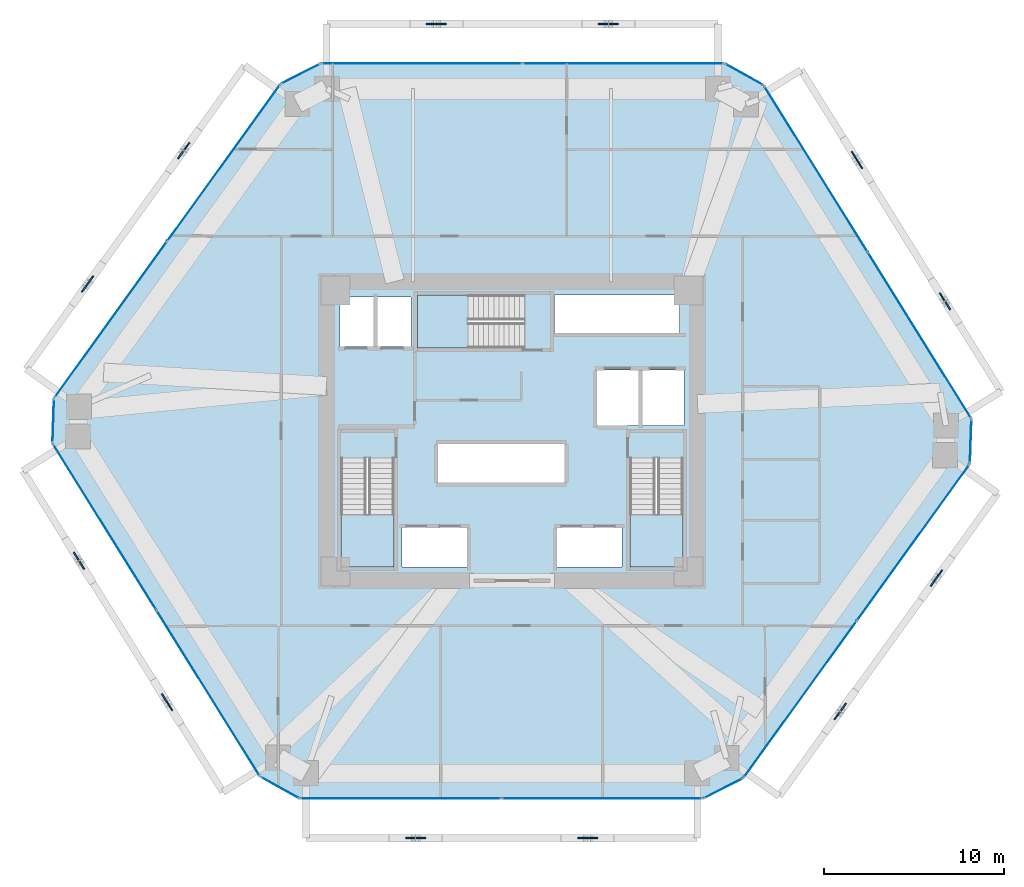
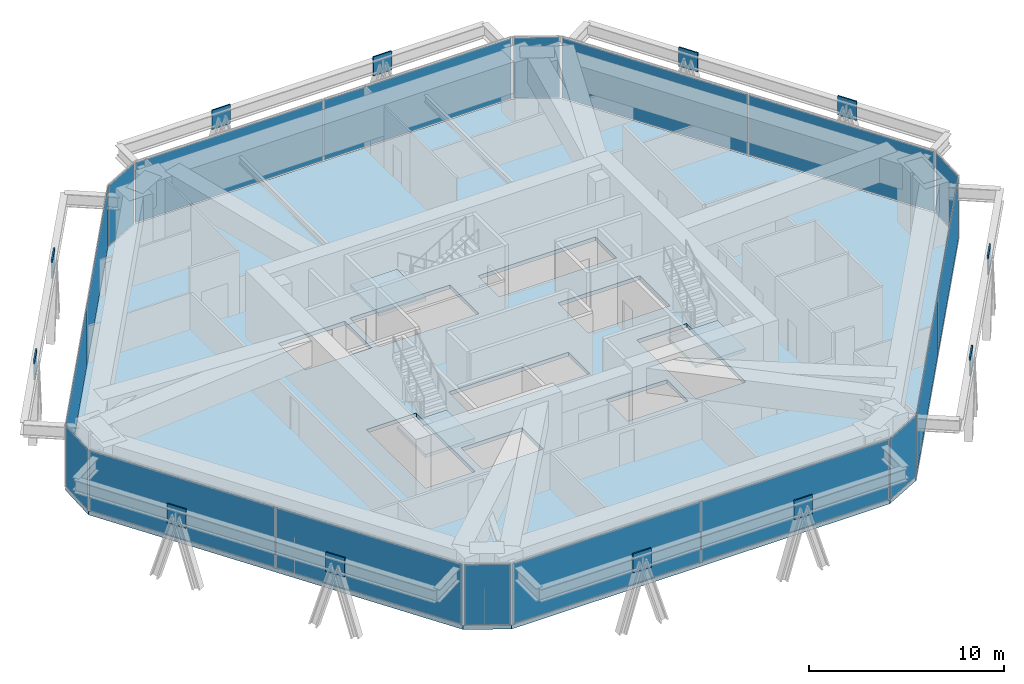
# One storey, part 10 of 16: 30 plates, 4 slabs, 15 elements without a shape of their own.
"""IFC4 building model written with IfcOpenShell, lengths in metres."""

from ifc_helpers import new_model, si_unit, direction, frame, origin, origin_2d, place, context, subcontext, project, spatial, polyline, rectangle, outline, extrude, source, transform, mapped, material, layer, layer_set, type_object, type_shapes, element, aggregate, save


model = new_model("IFC4")

# Units and contexts
model_context = context("Model", 3, precision=1e-05, world=origin(), true_north=direction((0.0, 1.0)))
body_context = subcontext(model_context, "Body", "Model", "MODEL_VIEW")
ifc_project = project(units=[si_unit("LENGTHUNIT", "METRE"), si_unit("AREAUNIT", "SQUARE_METRE"), si_unit("VOLUMEUNIT", "CUBIC_METRE"), si_unit("PLANEANGLEUNIT", "RADIAN"), si_unit("MASSUNIT", "GRAM", prefix="KILO")], contexts=[model_context])

# Site, building, storey
site_placement = place(None, origin())
site = spatial("IfcSite", under=ifc_project, at=site_placement, CompositionType="ELEMENT")
building_placement = place(site_placement, origin())
building = spatial("IfcBuilding", under=site, at=building_placement, Name="Durnholm Broadcast Tower", CompositionType="ELEMENT")
storey_placement = place(building_placement, frame((0.0, 0.0, 84.300048828125)))
storey = spatial("IfcBuildingStorey", under=building, at=storey_placement, Name="L22", CompositionType="ELEMENT", Elevation=84.300048828125)

# Slab
ifc_material_1 = material(Name="Concrete C50/60", Category="concrete")
ifc_layer_1 = layer(ifc_material_1, 0.239990234375)
ifc_layer_set_1 = layer_set([ifc_layer_1], Name="Concrete C50/60")
slab_type_1 = type_object("IfcSlabType", Name="SLAB-FLR-240", PredefinedType="FLOOR", material=ifc_layer_set_1)
slab_1_placement = place(storey_placement, frame((0.0, 0.0, -0.239990234375)))
element("IfcSlab", 1, at=slab_1_placement, inside=storey, type_object=slab_type_1, Name="L22 structural floor slab", PredefinedType="FLOOR", context=body_context, shape_type="SweptSolid", body=[
    extrude(outline(polyline([(-13.9794921875, -19.186279296875), (-11.793701171875, -20.39990234375), (10.6201171875, -20.39990234375), (12.845703125, -19.260986328125), (25.419921875, -1.820556640625), (25.50439453125, 0.677978515625), (13.9794921875, 19.186279296875), (11.793701171875, 20.39990234375), (-10.6201171875, 20.39990234375), (-12.845703125, 19.260986328125), (-25.419921875, 1.820556640625), (-25.50439453125, -0.677978515625), (-13.9794921875, -19.186279296875)]), holes=[polyline([(-2.5, -5.35009765625), (-6.10009765625, -5.35009765625), (-6.10009765625, -7.550048828125), (-2.5, -7.550048828125), (-2.5, -5.35009765625)]), polyline([(6.10009765625, -5.35009765625), (2.5, -5.35009765625), (2.5, -7.550048828125), (6.10009765625, -7.550048828125), (6.10009765625, -5.35009765625)]), polyline([(-6.5400390625, -7.550048828125), (-6.5400390625, -1.5), (-9.5, -1.5), (-9.5, -7.550048828125), (-6.5400390625, -7.550048828125)]), polyline([(9.5, -7.550048828125), (9.5, -1.5), (6.5400390625, -1.5), (6.5400390625, -7.550048828125), (9.5, -7.550048828125)]), polyline([(2.949951171875, -0.699951171875), (-4.14990234375, -0.699951171875), (-4.14990234375, -2.89990234375), (2.949951171875, -2.89990234375), (2.949951171875, -0.699951171875)]), polyline([(9.550048828125, 3.39990234375), (4.699951171875, 3.39990234375), (4.699951171875, 0.300048828125), (9.550048828125, 0.300048828125), (9.550048828125, 3.39990234375)]), polyline([(-5.60009765625, 7.449951171875), (-9.550048828125, 7.449951171875), (-9.550048828125, 4.699951171875), (-5.60009765625, 4.699951171875), (-5.60009765625, 7.449951171875)]), polyline([(-5.25, 7.56005859375), (-5.25, 4.60009765625), (0.699951171875, 4.60009765625), (0.699951171875, 7.56005859375), (-5.25, 7.56005859375)]), polyline([(9.31005859375, 5.39990234375), (9.31005859375, 7.550048828125), (2.35009765625, 7.550048828125), (2.35009765625, 5.39990234375), (9.31005859375, 5.39990234375)])]), origin(), (0.0, 0.0, 1.0), 0.239990234375),
])

# Stair, slab
stair_type = type_object("IfcStairType", Name="STAIR-DL-24R1750", PredefinedType="HALF_TURN_STAIR", material=ifc_material_1)
stair_1_placement = place(storey_placement, origin())
stair_1 = element("IfcStair", 2, at=stair_1_placement, inside=storey, type_object=stair_type, Name="L22 ST-1", PredefinedType="HALF_TURN_STAIR")
ifc_layer_2 = layer(ifc_material_1, 0.199951171875)
ifc_layer_set_2 = layer_set([ifc_layer_2], Name="Concrete C50/60")
slab_type_2 = type_object("IfcSlabType", Name="SLAB-LND-200", PredefinedType="LANDING", material=ifc_layer_set_2)
slab_2_placement = place(storey_placement, frame((0.0, 0.0, 1.89990234375)))
slab_2 = element("IfcSlab", 3, at=slab_2_placement, type_object=slab_type_2, Name="ST-1 landing 1", PredefinedType="LANDING", context=body_context, shape_type="SweptSolid", body=[
    extrude(outline(polyline([(-9.5, -4.635009765625), (-9.5, -7.550048828125), (-6.5400390625, -7.550048828125), (-6.5400390625, -4.635009765625), (-9.5, -4.635009765625)])), origin(), (0.0, 0.0, 1.0), 0.199951171875),
])
aggregate(stair_1, [slab_2])

stair_2_placement = place(storey_placement, origin())
stair_2 = element("IfcStair", 4, at=stair_2_placement, inside=storey, type_object=stair_type, Name="L22 ST-2", PredefinedType="HALF_TURN_STAIR")
slab_3_placement = place(storey_placement, frame((0.0, 0.0, 1.89990234375)))
slab_3 = element("IfcSlab", 5, at=slab_3_placement, type_object=slab_type_2, Name="ST-2 landing 1", PredefinedType="LANDING", context=body_context, shape_type="SweptSolid", body=[
    extrude(outline(polyline([(6.5400390625, -4.635009765625), (6.5400390625, -7.550048828125), (9.5, -7.550048828125), (9.5, -4.635009765625), (6.5400390625, -4.635009765625)])), origin(), (0.0, 0.0, 1.0), 0.199951171875),
])
aggregate(stair_2, [slab_3])

stair_3_placement = place(storey_placement, origin())
stair_3 = element("IfcStair", 6, at=stair_3_placement, inside=storey, type_object=stair_type, Name="L22 ST-3", PredefinedType="HALF_TURN_STAIR")
slab_4_placement = place(storey_placement, frame((0.0, 0.0, 1.89990234375)))
slab_4 = element("IfcSlab", 7, at=slab_4_placement, type_object=slab_type_2, Name="ST-3 landing 1", PredefinedType="LANDING", context=body_context, shape_type="SweptSolid", body=[
    extrude(outline(polyline([(-2.43505859375, 7.56005859375), (-5.25, 7.56005859375), (-5.25, 4.60009765625), (-2.43505859375, 4.60009765625), (-2.43505859375, 7.56005859375)])), origin(), (0.0, 0.0, 1.0), 0.199951171875),
])
aggregate(stair_3, [slab_4])

# Plates
ifc_material_2 = material(Name="Steel ASTM A572 Grade 50", Category="steel")
ifc_layer_3 = layer(ifc_material_2, 0.080078125)
ifc_layer_set_3 = layer_set([ifc_layer_3], Name="Steel ASTM A572 Grade 50")
plate_type_1 = type_object("IfcPlateType", Name="PLT-KN04-GUS", PredefinedType="USERDEFINED", material=ifc_layer_set_3)
shared_shape_1 = source(origin(), body_context, "Body", "SweptSolid", [
    extrude(rectangle(XDim=1.10009765625, YDim=0.080078125, at=origin_2d()), origin(), (0.0, 0.0, 1.0), 1.199951171875),
])
type_shapes(plate_type_1, [shared_shape_1])
for number, where, z_axis, x_axis, name in (
    (8, (-5.351318359375, -22.60009765625, 2.54833984375), (0.0, 0.0, 1.0), (1.0, 0.0, 0.0), "L22 welded diagrid node gusset plate KN04 F1"),
    (9, (4.202880859375, -22.60009765625, 2.54833984375), (0.0, 0.0, 1.0), (1.0, 0.0, 0.0), "L22 welded diagrid node gusset plate KN04 F1"),
    (10, (18.223388671875, -15.56396484375, 2.54833984375), (0.0, 0.0, 1.0), (0.584816108738, 0.81116590101, 0.0), "L22 welded diagrid node gusset plate KN04 F2"),
    (11, (23.5595703125, -8.16259765625, 2.54833984375), (0.0, 0.0, 1.0), (0.584816108738, 0.81116590101, 0.0), "L22 welded diagrid node gusset plate KN04 F2"),
    (12, (24.036376953125, 7.197509765625, 2.54833984375), (0.0, 0.0, 1.0), (-0.528586500185, 0.848879444811, 0.0), "L22 welded diagrid node gusset plate KN04 F3"),
    (13, (19.14892578125, 15.04638671875, 2.54833984375), (0.0, 0.0, 1.0), (-0.528586500185, 0.848879444811, 0.0), "L22 welded diagrid node gusset plate KN04 F3"),
    (14, (5.351318359375, 22.60009765625, 2.54833984375), (0.0, 0.0, 1.0), (-1.0, 0.0, 0.0), "L22 welded diagrid node gusset plate KN04 F4"),
    (15, (-4.202880859375, 22.60009765625, 2.54833984375), (0.0, 0.0, 1.0), (-1.0, 0.0, 0.0), "L22 welded diagrid node gusset plate KN04 F4"),
    (16, (-18.223388671875, 15.56396484375, 2.54833984375), (0.0, 0.0, 1.0), (-0.584816108738, -0.81116590101, 0.0), "L22 welded diagrid node gusset plate KN04 F5"),
    (17, (-23.5595703125, 8.16259765625, 2.54833984375), (0.0, 0.0, 1.0), (-0.584816108738, -0.81116590101, 0.0), "L22 welded diagrid node gusset plate KN04 F5"),
    (18, (-24.036376953125, -7.197509765625, 2.54833984375), (0.0, 0.0, 1.0), (0.528586500185, -0.848879444811, 0.0), "L22 welded diagrid node gusset plate KN04 F6"),
    (19, (-19.14892578125, -15.04638671875, 2.54833984375), (0.0, 0.0, 1.0), (0.528586500185, -0.848879444811, 0.0), "L22 welded diagrid node gusset plate KN04 F6"),
):
    element("IfcPlate", number, at=place(storey_placement, frame(where, z_axis=z_axis, x_axis=x_axis)), inside=storey, type_object=plate_type_1, Name=name, ObjectType="GUSSET_PLATE", PredefinedType="USERDEFINED", context=body_context, shape_type="MappedRepresentation", body=[
        mapped(shared_shape_1, transform((0.0, 0.0, 0.0), x_axis=(1.0, 0.0, 0.0), y_axis=(0.0, 1.0, 0.0), z_axis=(0.0, 0.0, 1.0), scale=1.0)),
    ])

# Curtain wall, plate
ifc_material_3 = material(Name="Aluminium and Solar Control IGU", Category="aluminium")
ifc_layer_4 = layer(ifc_material_3, 0.1650390625)
ifc_layer_set_4 = layer_set([ifc_layer_4], Name="Aluminium and Solar Control IGU")
curtain_wall_type_1 = type_object("IfcCurtainWallType", Name="CW-SYS-5", PredefinedType="NOTDEFINED", material=ifc_layer_set_4)
curtain_wall_1_placement = place(storey_placement, origin())
curtain_wall_1 = element("IfcCurtainWall", 20, at=curtain_wall_1_placement, inside=storey, type_object=curtain_wall_type_1, Name="L22 curtain wall CW-CORNER CW-L22-CRN-01", PredefinedType="NOTDEFINED")
ifc_material_4 = material(Name="Low-E Laminated Insulating Glass", Category="glass")
ifc_layer_5 = layer(ifc_material_4, 0.030029296875)
ifc_layer_set_5 = layer_set([ifc_layer_5], Name="Low-E Laminated Insulating Glass")
plate_type_2 = type_object("IfcPlateType", Name="CW-SYS-5-PNL", PredefinedType="CURTAIN_PANEL", material=ifc_layer_set_5)
shared_shape_2 = source(origin(), body_context, "Body", "SweptSolid", [
    extrude(rectangle(XDim=2.3701171875, YDim=0.030029296875, at=origin_2d()), origin(), (0.0, 0.0, 1.0), 3.77001953125),
])
plate_1_placement = place(storey_placement, frame((-25.462158203125, 0.5712890625, 0.06494140625), z_axis=(0.0, 0.0, 1.0), x_axis=(0.033839569233, 0.999427277772, 0.0)))
plate_1 = element("IfcPlate", 21, at=plate_1_placement, type_object=plate_type_2, Name="CW-CORNER panel 1.1", PredefinedType="CURTAIN_PANEL", context=body_context, shape_type="MappedRepresentation", body=[
    mapped(shared_shape_2, transform((0.0, 0.0, 0.0), x_axis=(1.0, 0.0, 0.0), y_axis=(0.0, 1.0, 0.0), z_axis=(0.0, 0.0, 1.0), scale=1.0)),
])
aggregate(curtain_wall_1, [plate_1])

curtain_wall_2_placement = place(storey_placement, origin())
curtain_wall_2 = element("IfcCurtainWall", 22, at=curtain_wall_2_placement, inside=storey, type_object=curtain_wall_type_1, Name="L22 curtain wall CW-CORNER CW-L22-CRN-03", PredefinedType="NOTDEFINED")
plate_2_placement = place(storey_placement, frame((-11.73291015625, 19.83056640625, 0.06494140625), z_axis=(0.0, 0.0, 1.0), x_axis=(0.890187804512, 0.455593758406, 0.0)))
plate_2 = element("IfcPlate", 23, at=plate_2_placement, type_object=plate_type_2, Name="CW-CORNER panel 1.1", PredefinedType="CURTAIN_PANEL", context=body_context, shape_type="MappedRepresentation", body=[
    mapped(shared_shape_2, transform((0.0, 0.0, 0.0), x_axis=(1.0, 0.0, 0.0), y_axis=(0.0, 1.0, 0.0), z_axis=(0.0, 0.0, 1.0), scale=1.0)),
])
aggregate(curtain_wall_2, [plate_2])

curtain_wall_3_placement = place(storey_placement, origin())
curtain_wall_3 = element("IfcCurtainWall", 24, at=curtain_wall_3_placement, inside=storey, type_object=curtain_wall_type_1, Name="L22 curtain wall CW-CORNER CW-L22-CRN-07", PredefinedType="NOTDEFINED")
plate_3_placement = place(storey_placement, frame((25.462158203125, -0.5712890625, 0.06494140625), z_axis=(0.0, 0.0, 1.0), x_axis=(-0.033839569233, -0.999427277772, 0.0)))
plate_3 = element("IfcPlate", 25, at=plate_3_placement, type_object=plate_type_2, Name="CW-CORNER panel 1.1", PredefinedType="CURTAIN_PANEL", context=body_context, shape_type="MappedRepresentation", body=[
    mapped(shared_shape_2, transform((0.0, 0.0, 0.0), x_axis=(1.0, 0.0, 0.0), y_axis=(0.0, 1.0, 0.0), z_axis=(0.0, 0.0, 1.0), scale=1.0)),
])
aggregate(curtain_wall_3, [plate_3])

curtain_wall_4_placement = place(storey_placement, origin())
curtain_wall_4 = element("IfcCurtainWall", 26, at=curtain_wall_4_placement, inside=storey, type_object=curtain_wall_type_1, Name="L22 curtain wall CW-CORNER CW-L22-CRN-09", PredefinedType="NOTDEFINED")
plate_4_placement = place(storey_placement, frame((11.73291015625, -19.83056640625, 0.06494140625), z_axis=(0.0, 0.0, 1.0), x_axis=(-0.890187804512, -0.455593758406, 0.0)))
plate_4 = element("IfcPlate", 27, at=plate_4_placement, type_object=plate_type_2, Name="CW-CORNER panel 1.1", PredefinedType="CURTAIN_PANEL", context=body_context, shape_type="MappedRepresentation", body=[
    mapped(shared_shape_2, transform((0.0, 0.0, 0.0), x_axis=(1.0, 0.0, 0.0), y_axis=(0.0, 1.0, 0.0), z_axis=(0.0, 0.0, 1.0), scale=1.0)),
])
aggregate(curtain_wall_4, [plate_4])

# Curtain wall, plates
ifc_layer_6 = layer(ifc_material_3, 0.18994140625)
ifc_layer_set_6 = layer_set([ifc_layer_6], Name="Aluminium and Solar Control IGU")
curtain_wall_type_2 = type_object("IfcCurtainWallType", Name="CW-SYS-3", PredefinedType="NOTDEFINED", material=ifc_layer_set_6)
curtain_wall_5_placement = place(storey_placement, origin())
curtain_wall_5 = element("IfcCurtainWall", 28, at=curtain_wall_5_placement, inside=storey, type_object=curtain_wall_type_2, Name="L22 curtain wall CW-Z12-VIS CW-L22-F02", PredefinedType="NOTDEFINED")
ifc_layer_7 = layer(ifc_material_4, 0.031982421875)
ifc_layer_set_7 = layer_set([ifc_layer_7], Name="Low-E Laminated Insulating Glass")
plate_type_3 = type_object("IfcPlateType", Name="CW-SYS-3-PNL", PredefinedType="CURTAIN_PANEL", material=ifc_layer_set_7)
shared_shape_3 = source(origin(), body_context, "Body", "SweptSolid", [
    extrude(rectangle(XDim=10.645263671875, YDim=0.031982421875, at=origin_2d()), origin(), (0.0, 0.0, 1.0), 3.760009765625),
])
plate_5_placement = place(storey_placement, frame((-22.26611328125, 6.19482421875, 0.06982421875), z_axis=(0.0, 0.0, 1.0), x_axis=(0.584823496176, 0.81116057493, 0.0)))
plate_5 = element("IfcPlate", 29, at=plate_5_placement, type_object=plate_type_3, Name="CW-Z12-VIS panel 1.1", PredefinedType="CURTAIN_PANEL", context=body_context, shape_type="MappedRepresentation", body=[
    mapped(shared_shape_3, transform((0.0, 0.0, 0.0), x_axis=(1.0, 0.0, 0.0), y_axis=(0.0, 1.0, 0.0), z_axis=(0.0, 0.0, 1.0), scale=1.0)),
])
plate_6_placement = place(storey_placement, frame((-15.99951171875, 14.88671875, 0.06982421875), z_axis=(0.0, 0.0, 1.0), x_axis=(0.584823496176, 0.81116057493, 0.0)))
plate_6 = element("IfcPlate", 30, at=plate_6_placement, type_object=plate_type_3, Name="CW-Z12-VIS panel 2.1", PredefinedType="CURTAIN_PANEL", context=body_context, shape_type="MappedRepresentation", body=[
    mapped(shared_shape_3, transform((0.0, 0.0, 0.0), x_axis=(1.0, 0.0, 0.0), y_axis=(0.0, 1.0, 0.0), z_axis=(0.0, 0.0, 1.0), scale=1.0)),
])
aggregate(curtain_wall_5, [plate_5, plate_6])

curtain_wall_6_placement = place(storey_placement, origin())
curtain_wall_6 = element("IfcCurtainWall", 31, at=curtain_wall_6_placement, inside=storey, type_object=curtain_wall_type_2, Name="L22 curtain wall CW-Z12-VIS CW-L22-F08", PredefinedType="NOTDEFINED")
plate_7_placement = place(storey_placement, frame((22.26611328125, -6.19482421875, 0.06982421875), z_axis=(0.0, 0.0, 1.0), x_axis=(-0.584823496176, -0.81116057493, 0.0)))
plate_7 = element("IfcPlate", 32, at=plate_7_placement, type_object=plate_type_3, Name="CW-Z12-VIS panel 1.1", PredefinedType="CURTAIN_PANEL", context=body_context, shape_type="MappedRepresentation", body=[
    mapped(shared_shape_3, transform((0.0, 0.0, 0.0), x_axis=(1.0, 0.0, 0.0), y_axis=(0.0, 1.0, 0.0), z_axis=(0.0, 0.0, 1.0), scale=1.0)),
])
plate_8_placement = place(storey_placement, frame((15.99951171875, -14.88671875, 0.06982421875), z_axis=(0.0, 0.0, 1.0), x_axis=(-0.584823496176, -0.81116057493, 0.0)))
plate_8 = element("IfcPlate", 33, at=plate_8_placement, type_object=plate_type_3, Name="CW-Z12-VIS panel 2.1", PredefinedType="CURTAIN_PANEL", context=body_context, shape_type="MappedRepresentation", body=[
    mapped(shared_shape_3, transform((0.0, 0.0, 0.0), x_axis=(1.0, 0.0, 0.0), y_axis=(0.0, 1.0, 0.0), z_axis=(0.0, 0.0, 1.0), scale=1.0)),
])
aggregate(curtain_wall_6, [plate_7, plate_8])

curtain_wall_7_placement = place(storey_placement, origin())
curtain_wall_7 = element("IfcCurtainWall", 34, at=curtain_wall_7_placement, inside=storey, type_object=curtain_wall_type_2, Name="L22 curtain wall CW-Z12-VIS CW-L22-F04", PredefinedType="NOTDEFINED")
shared_shape_4 = source(origin(), body_context, "Body", "SweptSolid", [
    extrude(rectangle(XDim=11.10205078125, YDim=0.031982421875, at=origin_2d()), origin(), (0.0, 0.0, 1.0), 3.760009765625),
])
plate_9_placement = place(storey_placement, frame((-4.999267578125, 20.39990234375, 0.06982421875), z_axis=(0.0, 0.0, 1.0), x_axis=(1.0, 0.0, 0.0)))
plate_9 = element("IfcPlate", 35, at=plate_9_placement, type_object=plate_type_3, Name="CW-Z12-VIS panel 1.1", PredefinedType="CURTAIN_PANEL", context=body_context, shape_type="MappedRepresentation", body=[
    mapped(shared_shape_4, transform((0.0, 0.0, 0.0), x_axis=(1.0, 0.0, 0.0), y_axis=(0.0, 1.0, 0.0), z_axis=(0.0, 0.0, 1.0), scale=1.0)),
])
plate_10_placement = place(storey_placement, frame((6.1728515625, 20.39990234375, 0.06982421875), z_axis=(0.0, 0.0, 1.0), x_axis=(1.0, 0.0, 0.0)))
plate_10 = element("IfcPlate", 36, at=plate_10_placement, type_object=plate_type_3, Name="CW-Z12-VIS panel 2.1", PredefinedType="CURTAIN_PANEL", context=body_context, shape_type="MappedRepresentation", body=[
    mapped(shared_shape_4, transform((0.0, 0.0, 0.0), x_axis=(1.0, 0.0, 0.0), y_axis=(0.0, 1.0, 0.0), z_axis=(0.0, 0.0, 1.0), scale=1.0)),
])
aggregate(curtain_wall_7, [plate_9, plate_10])

curtain_wall_8_placement = place(storey_placement, origin())
curtain_wall_8 = element("IfcCurtainWall", 37, at=curtain_wall_8_placement, inside=storey, type_object=curtain_wall_type_2, Name="L22 curtain wall CW-Z12-VIS CW-L22-F10", PredefinedType="NOTDEFINED")
plate_11_placement = place(storey_placement, frame((4.999267578125, -20.39990234375, 0.06982421875), z_axis=(0.0, 0.0, 1.0), x_axis=(-1.0, 0.0, 0.0)))
plate_11 = element("IfcPlate", 38, at=plate_11_placement, type_object=plate_type_3, Name="CW-Z12-VIS panel 1.1", PredefinedType="CURTAIN_PANEL", context=body_context, shape_type="MappedRepresentation", body=[
    mapped(shared_shape_4, transform((0.0, 0.0, 0.0), x_axis=(1.0, 0.0, 0.0), y_axis=(0.0, 1.0, 0.0), z_axis=(0.0, 0.0, 1.0), scale=1.0)),
])
plate_12_placement = place(storey_placement, frame((-6.1728515625, -20.39990234375, 0.06982421875), z_axis=(0.0, 0.0, 1.0), x_axis=(-1.0, 0.0, 0.0)))
plate_12 = element("IfcPlate", 39, at=plate_12_placement, type_object=plate_type_3, Name="CW-Z12-VIS panel 2.1", PredefinedType="CURTAIN_PANEL", context=body_context, shape_type="MappedRepresentation", body=[
    mapped(shared_shape_4, transform((0.0, 0.0, 0.0), x_axis=(1.0, 0.0, 0.0), y_axis=(0.0, 1.0, 0.0), z_axis=(0.0, 0.0, 1.0), scale=1.0)),
])
aggregate(curtain_wall_8, [plate_11, plate_12])

# Curtain wall, plate
curtain_wall_9_placement = place(storey_placement, origin())
curtain_wall_9 = element("IfcCurtainWall", 40, at=curtain_wall_9_placement, inside=storey, type_object=curtain_wall_type_1, Name="L22 curtain wall CW-CORNER CW-L22-CRN-05", PredefinedType="NOTDEFINED")
shared_shape_5 = source(origin(), body_context, "Body", "SweptSolid", [
    extrude(rectangle(XDim=2.369873046875, YDim=0.030029296875, at=origin_2d()), origin(), (0.0, 0.0, 1.0), 3.77001953125),
])
type_shapes(plate_type_2, [shared_shape_2, shared_shape_5])
plate_13_placement = place(storey_placement, frame((12.88671875, 19.793212890625, 0.06494140625), z_axis=(0.0, 0.0, 1.0), x_axis=(0.874245941394, -0.485483299359, 0.0)))
plate_13 = element("IfcPlate", 41, at=plate_13_placement, type_object=plate_type_2, Name="CW-CORNER panel 1.1", PredefinedType="CURTAIN_PANEL", context=body_context, shape_type="MappedRepresentation", body=[
    mapped(shared_shape_5, transform((0.0, 0.0, 0.0), x_axis=(1.0, 0.0, 0.0), y_axis=(0.0, 1.0, 0.0), z_axis=(0.0, 0.0, 1.0), scale=1.0)),
])
aggregate(curtain_wall_9, [plate_13])

curtain_wall_10_placement = place(storey_placement, origin())
curtain_wall_10 = element("IfcCurtainWall", 42, at=curtain_wall_10_placement, inside=storey, type_object=curtain_wall_type_1, Name="L22 curtain wall CW-CORNER CW-L22-CRN-11", PredefinedType="NOTDEFINED")
plate_14_placement = place(storey_placement, frame((-12.88671875, -19.793212890625, 0.06494140625), z_axis=(0.0, 0.0, 1.0), x_axis=(-0.874245941394, 0.485483299359, 0.0)))
plate_14 = element("IfcPlate", 43, at=plate_14_placement, type_object=plate_type_2, Name="CW-CORNER panel 1.1", PredefinedType="CURTAIN_PANEL", context=body_context, shape_type="MappedRepresentation", body=[
    mapped(shared_shape_5, transform((0.0, 0.0, 0.0), x_axis=(1.0, 0.0, 0.0), y_axis=(0.0, 1.0, 0.0), z_axis=(0.0, 0.0, 1.0), scale=1.0)),
])
aggregate(curtain_wall_10, [plate_14])

# Curtain wall, plates
curtain_wall_11_placement = place(storey_placement, origin())
curtain_wall_11 = element("IfcCurtainWall", 44, at=curtain_wall_11_placement, inside=storey, type_object=curtain_wall_type_2, Name="L22 curtain wall CW-Z12-VIS CW-L22-F06", PredefinedType="NOTDEFINED")
shared_shape_6 = source(origin(), body_context, "Body", "SweptSolid", [
    extrude(rectangle(XDim=10.796630859375, YDim=0.031982421875, at=origin_2d()), origin(), (0.0, 0.0, 1.0), 3.760009765625),
])
type_shapes(plate_type_3, [shared_shape_3, shared_shape_4, shared_shape_6])
plate_15_placement = place(storey_placement, frame((16.869873046875, 14.54443359375, 0.06982421875), z_axis=(0.0, 0.0, 1.0), x_axis=(0.528592376777, -0.848875785503, 0.0)))
plate_15 = element("IfcPlate", 45, at=plate_15_placement, type_object=plate_type_3, Name="CW-Z12-VIS panel 1.1", PredefinedType="CURTAIN_PANEL", context=body_context, shape_type="MappedRepresentation", body=[
    mapped(shared_shape_6, transform((0.0, 0.0, 0.0), x_axis=(1.0, 0.0, 0.0), y_axis=(0.0, 1.0, 0.0), z_axis=(0.0, 0.0, 1.0), scale=1.0)),
])
plate_16_placement = place(storey_placement, frame((22.614013671875, 5.320068359375, 0.06982421875), z_axis=(0.0, 0.0, 1.0), x_axis=(0.528592376777, -0.848875785503, 0.0)))
plate_16 = element("IfcPlate", 46, at=plate_16_placement, type_object=plate_type_3, Name="CW-Z12-VIS panel 2.1", PredefinedType="CURTAIN_PANEL", context=body_context, shape_type="MappedRepresentation", body=[
    mapped(shared_shape_6, transform((0.0, 0.0, 0.0), x_axis=(1.0, 0.0, 0.0), y_axis=(0.0, 1.0, 0.0), z_axis=(0.0, 0.0, 1.0), scale=1.0)),
])
aggregate(curtain_wall_11, [plate_15, plate_16])

curtain_wall_12_placement = place(storey_placement, origin())
curtain_wall_12 = element("IfcCurtainWall", 47, at=curtain_wall_12_placement, inside=storey, type_object=curtain_wall_type_2, Name="L22 curtain wall CW-Z12-VIS CW-L22-F12", PredefinedType="NOTDEFINED")
plate_17_placement = place(storey_placement, frame((-16.869873046875, -14.54443359375, 0.06982421875), z_axis=(0.0, 0.0, 1.0), x_axis=(-0.528592376777, 0.848875785503, 0.0)))
plate_17 = element("IfcPlate", 48, at=plate_17_placement, type_object=plate_type_3, Name="CW-Z12-VIS panel 1.1", PredefinedType="CURTAIN_PANEL", context=body_context, shape_type="MappedRepresentation", body=[
    mapped(shared_shape_6, transform((0.0, 0.0, 0.0), x_axis=(1.0, 0.0, 0.0), y_axis=(0.0, 1.0, 0.0), z_axis=(0.0, 0.0, 1.0), scale=1.0)),
])
plate_18_placement = place(storey_placement, frame((-22.614013671875, -5.320068359375, 0.06982421875), z_axis=(0.0, 0.0, 1.0), x_axis=(-0.528592376777, 0.848875785503, 0.0)))
plate_18 = element("IfcPlate", 49, at=plate_18_placement, type_object=plate_type_3, Name="CW-Z12-VIS panel 2.1", PredefinedType="CURTAIN_PANEL", context=body_context, shape_type="MappedRepresentation", body=[
    mapped(shared_shape_6, transform((0.0, 0.0, 0.0), x_axis=(1.0, 0.0, 0.0), y_axis=(0.0, 1.0, 0.0), z_axis=(0.0, 0.0, 1.0), scale=1.0)),
])
aggregate(curtain_wall_12, [plate_17, plate_18])

save(model, "model.ifc")
